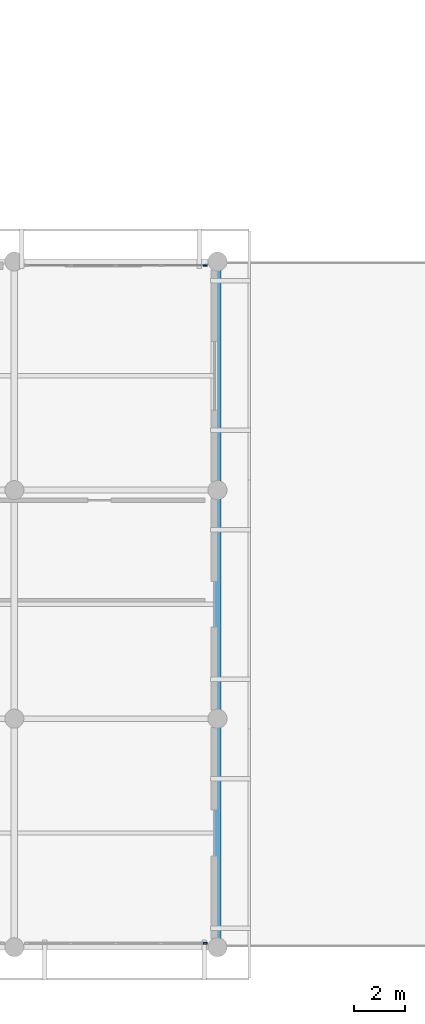
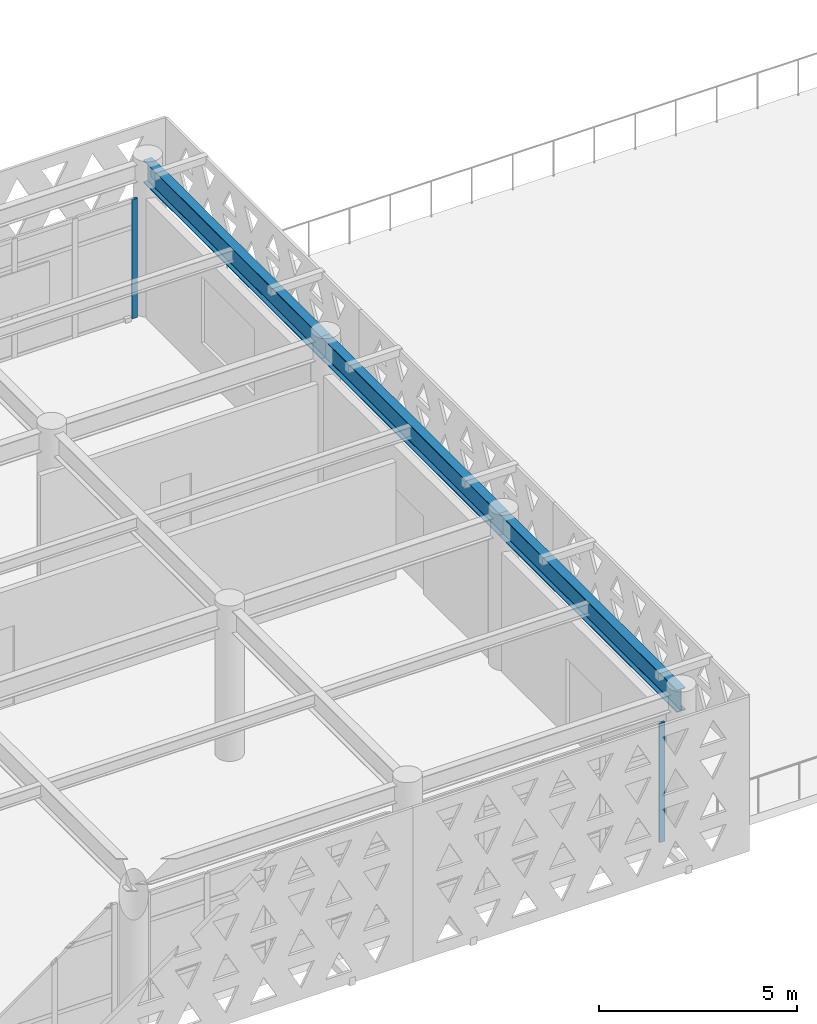
# One storey, part 13 of 26: 3 beams, 2 members, 2 elements without a shape of their own.
"""IFC4 building model written with IfcOpenShell, lengths in metres."""

from ifc_helpers import new_model, si_unit, direction, frame, origin, origin_2d, place, context, subcontext, project, spatial, rectangle, i_section, extrude, material, layer, layer_set, material_profile, profile_set, type_object, element, aggregate, save


model = new_model("IFC4")

# Units and contexts
model_context = context("Model", 3, precision=1e-05, world=origin(), true_north=direction((0.0, 1.0)))
body_context = subcontext(model_context, "Body", "Model", "MODEL_VIEW")
ifc_project = project(units=[si_unit("LENGTHUNIT", "METRE"), si_unit("AREAUNIT", "SQUARE_METRE"), si_unit("VOLUMEUNIT", "CUBIC_METRE"), si_unit("PLANEANGLEUNIT", "RADIAN"), si_unit("MASSUNIT", "GRAM", prefix="KILO")], contexts=[model_context])

# Site, building, storey
site_placement = place(None, origin())
site = spatial("IfcSite", under=ifc_project, at=site_placement, CompositionType="ELEMENT")
building_placement = place(site_placement, origin())
building = spatial("IfcBuilding", under=site, at=building_placement, Name="Tlacozan Convention Centre", CompositionType="ELEMENT")
storey_placement = place(building_placement, frame((0.0, 0.0, 21.0)))
storey = spatial("IfcBuildingStorey", under=building, at=storey_placement, Name="L04", CompositionType="ELEMENT", Elevation=21.0)

# Curtain wall, member
ifc_material_1 = material(Name="Dark Bronze Anodised Aluminium", Category="aluminium")
ifc_layer = layer(ifc_material_1, 0.159912109375)
ifc_layer_set = layer_set([ifc_layer], Name="Dark Bronze Anodised Aluminium")
curtain_wall_type = type_object("IfcCurtainWallType", Name="Unitised Congress L04 South CW05", PredefinedType="NOTDEFINED", material=ifc_layer_set)
curtain_wall_1_placement = place(storey_placement, origin())
curtain_wall_1 = element("IfcCurtainWall", 1, at=curtain_wall_1_placement, inside=storey, type_object=curtain_wall_type, Name="L04 CW-05 Run 133", PredefinedType="NOTDEFINED")
ifc_material_profile_1 = material_profile(ifc_material_1, rectangle(XDim=0.06494140625, YDim=0.159912109375, at=origin_2d()), Name="ALU 65x160")
ifc_profile_set_1 = profile_set([ifc_material_profile_1], Name="Dark Bronze Anodised Aluminium")
member_type = type_object("IfcMemberType", Name="Curtain Wall Mullion 65x160", PredefinedType="MULLION", material=ifc_profile_set_1)
member_1_placement = place(storey_placement, frame((95.517578125, 0.159912109375, 0.0), z_axis=(0.0, 0.0, 1.0), x_axis=(0.0, 1.0, 0.0)))
member_1 = element("IfcMember", 2, at=member_1_placement, type_object=member_type, Name="CW-05 mullion 5", PredefinedType="MULLION", context=body_context, shape_type="SweptSolid", body=[
    extrude(rectangle(XDim=0.06494140625, YDim=0.159912109375, at=origin_2d()), origin(), (0.0, 0.0, 1.0), 3.679931640625),
])
aggregate(curtain_wall_1, [member_1])

curtain_wall_2_placement = place(storey_placement, origin())
curtain_wall_2 = element("IfcCurtainWall", 3, at=curtain_wall_2_placement, inside=storey, type_object=curtain_wall_type, Name="L04 CW-05 Run 137", PredefinedType="NOTDEFINED")
member_2_placement = place(storey_placement, frame((95.517578125, 26.840087890625, 0.0), z_axis=(0.0, 0.0, 1.0), x_axis=(0.0, 1.0, 0.0)))
member_2 = element("IfcMember", 4, at=member_2_placement, type_object=member_type, Name="CW-05 mullion 5", PredefinedType="MULLION", context=body_context, shape_type="SweptSolid", body=[
    extrude(rectangle(XDim=0.06494140625, YDim=0.159912109375, at=origin_2d()), origin(), (0.0, 0.0, 1.0), 3.679931640625),
])
aggregate(curtain_wall_2, [member_2])

# Beams
ifc_material_2 = material(Name="Steel ASTM A992 Grade 50", Category="steel")
ifc_material_profile_2 = material_profile(ifc_material_2, i_section(OverallWidth=0.256103515625, OverallDepth=0.693115234375, WebThickness=0.014404296875, FlangeThickness=0.023681640625, FilletRadius=0.014892578125, at=origin_2d()), Name="IR 686x170.0")
ifc_profile_set_2 = profile_set([ifc_material_profile_2], Name="Steel ASTM A992 Grade 50")
beam_type = type_object("IfcBeamType", Name="Girder Steel IR 686x170", PredefinedType="BEAM", material=ifc_profile_set_2)
for number, where, z_axis, x_axis, name in (
    (5, (96.0, 0.0, 4.29345703125), (0.0, 1.0, 0.0), (-1.0, 0.0, 0.0), "L04 Girder Steel IR 686x170 683"),
    (6, (96.0, 9.0, 4.29345703125), (0.0, 1.0, 0.0), (-1.0, 0.0, 0.0), "L04 Girder Steel IR 686x170 684"),
    (7, (96.0, 18.0, 4.29345703125), (0.0, 1.0, 0.0), (-1.0, 0.0, 0.0), "L04 Girder Steel IR 686x170 685"),
):
    element("IfcBeam", number, at=place(storey_placement, frame(where, z_axis=z_axis, x_axis=x_axis)), inside=storey, type_object=beam_type, Name=name, PredefinedType="BEAM", context=body_context, shape_type="SweptSolid", body=[
        extrude(i_section(OverallWidth=0.256103515625, OverallDepth=0.693115234375, WebThickness=0.014404296875, FlangeThickness=0.023681640625, FilletRadius=0.014892578125, at=origin_2d()), origin(), (0.0, 0.0, 1.0), 9.0),
    ])

save(model, "model.ifc")
